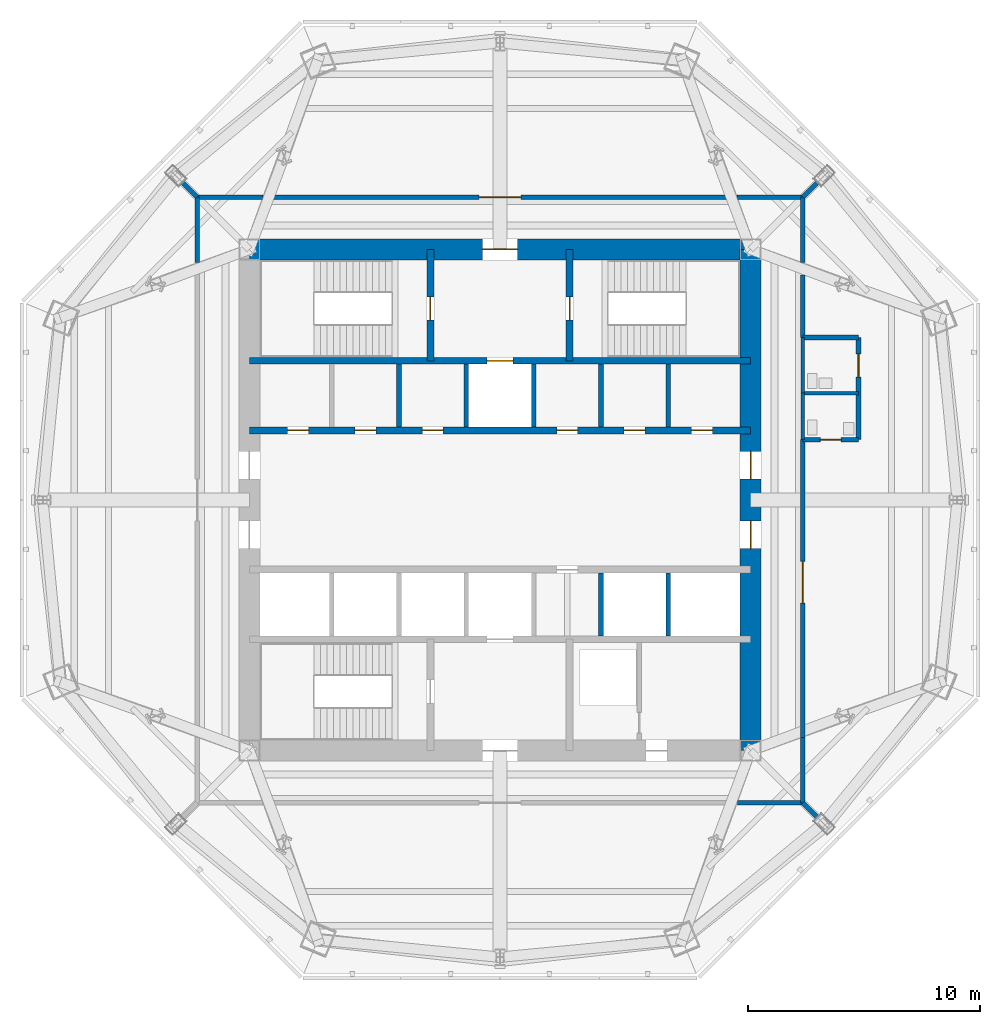
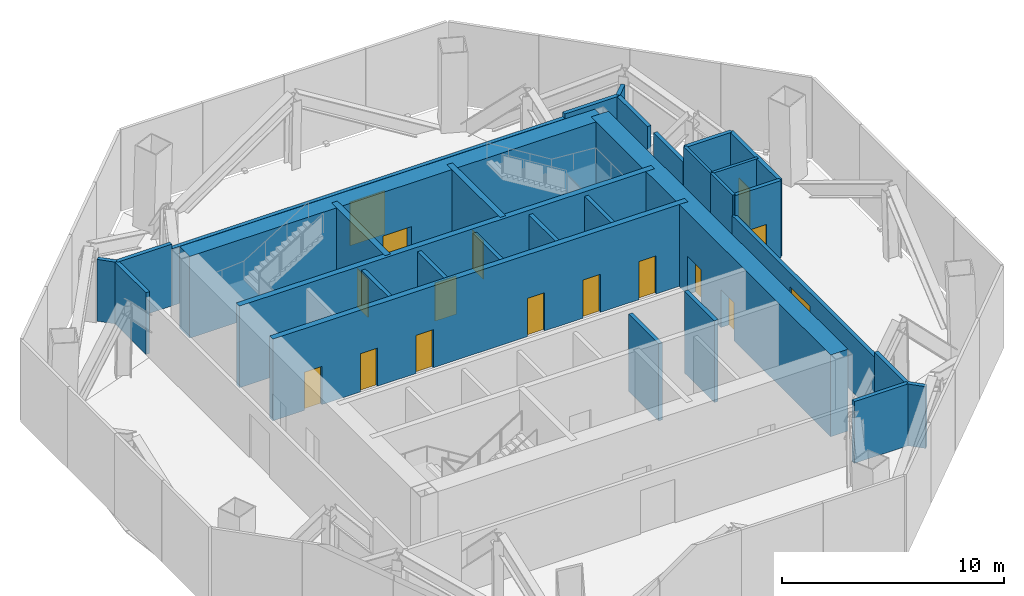
# One storey, part 4 of 8: 31 walls, 16 doors, 16 openings.
"""IFC4 building model written with IfcOpenShell, lengths in metres."""

from ifc_helpers import new_model, si_unit, direction, frame, frame_2d, origin, place, context, subcontext, project, spatial, rectangle, extrude, material, layer, layer_set, type_object, element, fill, save


model = new_model("IFC4")

# Units and contexts
model_context = context("Model", 3, precision=1e-05, world=origin(), true_north=direction((0.0, 1.0)))
body_context = subcontext(model_context, "Body", "Model", "MODEL_VIEW")
ifc_project = project(units=[si_unit("LENGTHUNIT", "METRE"), si_unit("AREAUNIT", "SQUARE_METRE"), si_unit("VOLUMEUNIT", "CUBIC_METRE"), si_unit("PLANEANGLEUNIT", "RADIAN"), si_unit("MASSUNIT", "GRAM", prefix="KILO")], contexts=[model_context])

# Site, building, storey
site_placement = place(None, origin())
site = spatial("IfcSite", under=ifc_project, at=site_placement, CompositionType="ELEMENT")
building_placement = place(site_placement, origin())
building = spatial("IfcBuilding", under=site, at=building_placement, Name="Mashrafa Tower", CompositionType="ELEMENT")
storey_placement = place(building_placement, frame((0.0, 0.0, 261.800048828125)))
storey = spatial("IfcBuildingStorey", under=building, at=storey_placement, Name="L63", CompositionType="ELEMENT", Elevation=261.800048828125)

# Wall
ifc_material_1 = material(Name="Concrete masonry unit", Category="masonry")
ifc_layer_1 = layer(ifc_material_1, 0.199951171875)
ifc_layer_set_1 = layer_set([ifc_layer_1], Name="Blockwork wall 200 2 hr")
wall_type_1 = type_object("IfcWallType", Name="Blockwork wall 200 2 hr", PredefinedType="PARTITIONING", material=ifc_layer_set_1)
wall_1_placement = place(storey_placement, frame((13.050048828125, -13.050048828125, 0.0), z_axis=(0.0, 0.0, 1.0), x_axis=(0.0, 1.0, 0.0)))
element("IfcWall", 1, at=wall_1_placement, inside=storey, type_object=wall_type_1, Name="Blockwork wall L63-003", PredefinedType="PARTITIONING", context=body_context, shape_type="SweptSolid", body=[
    extrude(rectangle(XDim=2.820068359375, YDim=0.199951171875, at=frame_2d((1.41015625, 0.0))), origin(), (0.0, 0.0, 1.0), 3.399169921875),
])

# Wall, opening, door
wall_2_placement = place(storey_placement, frame((13.050048828125, -10.22802734375, 0.0), z_axis=(0.0, 0.0, 1.0), x_axis=(0.0, 1.0, 0.0)))
wall_2 = element("IfcWall", 2, at=wall_2_placement, inside=storey, type_object=wall_type_1, Name="Blockwork wall L63-004", PredefinedType="PARTITIONING", context=body_context, shape_type="SweptSolid", body=[
    extrude(rectangle(XDim=12.8291015625, YDim=0.199951171875, at=frame_2d((6.41455078125, 0.0))), origin(), (0.0, 0.0, 1.0), 3.139892578125),
])
opening_1_placement = place(wall_2_placement, frame((5.78564453125, 0.0, 0.0)))
opening_1 = element("IfcOpeningElement", 3, at=opening_1_placement, cuts=wall_2, Name="Opening 63.003", PredefinedType="OPENING", context=body_context, shape_type="SweptSolid", body=[
    extrude(rectangle(XDim=1.800048828125, YDim=2.39990234375, at=frame_2d((0.89990234375, 1.199951171875))), frame((0.0, 0.10986328125, 0.0), z_axis=(0.0, -1.0, 0.0), x_axis=(1.0, 0.0, 0.0)), (0.0, 0.0, 1.0), 0.219970703125),
])
ifc_material_2 = material(Name="Steel door", Category="steel")
door_type_1 = type_object("IfcDoorType", Name="Door pair 1800 x 2400 90 min", OperationType="DOUBLE_DOOR_SINGLE_SWING", PredefinedType="DOOR", material=ifc_material_2)
door_1_placement = place(opening_1_placement, origin())
door_1 = element("IfcDoor", 4, at=door_1_placement, inside=storey, type_object=door_type_1, Name="Refuge Area L63 East door", OperationType="DOUBLE_DOOR_SINGLE_SWING", OverallHeight=2.39990234375, OverallWidth=1.800048828125, PredefinedType="DOOR", context=body_context, shape_type="SweptSolid", body=[
    extrude(rectangle(XDim=1.800048828125, YDim=2.39990234375, at=frame_2d((0.89990234375, 1.199951171875))), frame((0.0, 0.02490234375, 0.0), z_axis=(0.0, -1.0, 0.0), x_axis=(1.0, 0.0, 0.0)), (0.0, 0.0, 1.0), 0.050048828125),
])
fill(opening_1, door_1)

# Walls
wall_3_placement = place(storey_placement, frame((13.050048828125, 6.9990234375, 0.0), z_axis=(0.0, 0.0, 1.0), x_axis=(0.0, 1.0, 0.0)))
element("IfcWall", 5, at=wall_3_placement, inside=storey, type_object=wall_type_1, Name="Blockwork wall L63-005", PredefinedType="PARTITIONING", context=body_context, shape_type="SweptSolid", body=[
    extrude(rectangle(XDim=2.6865234375, YDim=0.199951171875, at=frame_2d((1.34326171875, 0.0))), origin(), (0.0, 0.0, 1.0), 3.39404296875),
])
for number, where, z_axis, x_axis, name in (
    (6, (13.050048828125, 10.22998046875, 0.0), (0.0, 0.0, 1.0), (0.0, 1.0, 0.0), "Blockwork wall L63-006"),
    (7, (-13.050048828125, 13.050048828125, 0.0), (0.0, 0.0, 1.0), (0.0, -1.0, 0.0), "Blockwork wall L63-007"),
    (8, (13.050048828125, 13.050048828125, 0.0), (0.0, 0.0, 1.0), (-1.0, 0.0, 0.0), "Blockwork wall L63-010"),
):
    element("IfcWall", number, at=place(storey_placement, frame(where, z_axis=z_axis, x_axis=x_axis)), inside=storey, type_object=wall_type_1, Name=name, PredefinedType="PARTITIONING", context=body_context, shape_type="SweptSolid", body=[
        extrude(rectangle(XDim=2.820068359375, YDim=0.199951171875, at=frame_2d((1.41015625, 0.0))), origin(), (0.0, 0.0, 1.0), 3.399169921875),
    ])

# Wall, opening, door
wall_4_placement = place(storey_placement, frame((10.22802734375, 13.050048828125, 0.0), z_axis=(0.0, 0.0, 1.0), x_axis=(-1.0, 0.0, 0.0)))
wall_4 = element("IfcWall", 9, at=wall_4_placement, inside=storey, type_object=wall_type_1, Name="Blockwork wall L63-011", PredefinedType="PARTITIONING", context=body_context, shape_type="SweptSolid", body=[
    extrude(rectangle(XDim=20.4560546875, YDim=0.199951171875, at=frame_2d((10.22802734375, 0.0))), origin(), (0.0, 0.0, 1.0), 3.139892578125),
])
opening_2_placement = place(wall_4_placement, frame((9.327880859375, 0.0, 0.0)))
opening_2 = element("IfcOpeningElement", 10, at=opening_2_placement, cuts=wall_4, Name="Opening 63.005", PredefinedType="OPENING", context=body_context, shape_type="SweptSolid", body=[
    extrude(rectangle(XDim=1.800048828125, YDim=2.39990234375, at=frame_2d((0.89990234375, 1.199951171875))), frame((0.0, 0.10986328125, 0.0), z_axis=(0.0, -1.0, 0.0), x_axis=(1.0, 0.0, 0.0)), (0.0, 0.0, 1.0), 0.219970703125),
])
door_2_placement = place(opening_2_placement, frame((1.800048828125, 0.0, 0.0), z_axis=(0.0, 0.0, 1.0), x_axis=(-1.0, 0.0, 0.0)))
door_2 = element("IfcDoor", 11, at=door_2_placement, inside=storey, type_object=door_type_1, Name="Mechanical Plant Room L63 door", OperationType="DOUBLE_DOOR_SINGLE_SWING", OverallHeight=2.39990234375, OverallWidth=1.800048828125, PredefinedType="DOOR", context=body_context, shape_type="SweptSolid", body=[
    extrude(rectangle(XDim=1.800048828125, YDim=2.39990234375, at=frame_2d((0.89990234375, 1.199951171875))), frame((0.0, 0.02490234375, 0.0), z_axis=(0.0, -1.0, 0.0), x_axis=(1.0, 0.0, 0.0)), (0.0, 0.0, 1.0), 0.050048828125),
])
fill(opening_2, door_2)

# Walls
for number, where, z_axis, x_axis, name in (
    (12, (-10.22998046875, 13.050048828125, 0.0), (0.0, 0.0, 1.0), (-1.0, 0.0, 0.0), "Blockwork wall L63-012"),
    (13, (10.22998046875, -13.050048828125, 0.0), (0.0, 0.0, 1.0), (1.0, 0.0, 0.0), "Blockwork wall L63-015"),
):
    element("IfcWall", number, at=place(storey_placement, frame(where, z_axis=z_axis, x_axis=x_axis)), inside=storey, type_object=wall_type_1, Name=name, PredefinedType="PARTITIONING", context=body_context, shape_type="SweptSolid", body=[
        extrude(rectangle(XDim=2.820068359375, YDim=0.199951171875, at=frame_2d((1.41015625, 0.0))), origin(), (0.0, 0.0, 1.0), 3.399169921875),
    ])

# Wall, opening, door
wall_5_placement = place(storey_placement, frame((13.050048828125, 2.60009765625, 0.0), z_axis=(0.0, 0.0, 1.0), x_axis=(1.0, 0.0, 0.0)))
wall_5 = element("IfcWall", 14, at=wall_5_placement, inside=storey, type_object=wall_type_1, Name="Blockwork wall L63-017", PredefinedType="PARTITIONING", context=body_context, shape_type="SweptSolid", body=[
    extrude(rectangle(XDim=2.39990234375, YDim=0.199951171875, at=frame_2d((1.199951171875, 0.0))), origin(), (0.0, 0.0, 1.0), 4.25),
])
opening_3_placement = place(wall_5_placement, frame((0.75, 0.0, 0.0)))
opening_3 = element("IfcOpeningElement", 15, at=opening_3_placement, cuts=wall_5, Name="Opening 63.001", PredefinedType="OPENING", context=body_context, shape_type="SweptSolid", body=[
    extrude(rectangle(XDim=0.89990234375, YDim=2.10009765625, at=frame_2d((0.449951171875, 1.050048828125))), frame((0.0, 0.10986328125, 0.0), z_axis=(0.0, -1.0, 0.0), x_axis=(1.0, 0.0, 0.0)), (0.0, 0.0, 1.0), 0.219970703125),
])
ifc_material_3 = material(Name="Timber door", Category="wood")
door_type_2 = type_object("IfcDoorType", Name="Toilet door 900 x 2100", OperationType="USERDEFINED", PredefinedType="DOOR", material=ifc_material_3)
door_3_placement = place(opening_3_placement, origin())
door_3 = element("IfcDoor", 16, at=door_3_placement, inside=storey, type_object=door_type_2, Name="Refuge WC L63 door", OperationType="SINGLE_SWING_RIGHT", OverallHeight=2.10009765625, OverallWidth=0.89990234375, PredefinedType="DOOR", context=body_context, shape_type="SweptSolid", body=[
    extrude(rectangle(XDim=0.89990234375, YDim=2.10009765625, at=frame_2d((0.449951171875, 1.050048828125))), frame((0.0, 0.02490234375, 0.0), z_axis=(0.0, -1.0, 0.0), x_axis=(1.0, 0.0, 0.0)), (0.0, 0.0, 1.0), 0.050048828125),
])
fill(opening_3, door_3)

wall_6_placement = place(storey_placement, frame((15.449951171875, 2.60009765625, 0.0), z_axis=(0.0, 0.0, 1.0), x_axis=(0.0, 1.0, 0.0)))
wall_6 = element("IfcWall", 17, at=wall_6_placement, inside=storey, type_object=wall_type_1, Name="Blockwork wall L63-018", PredefinedType="PARTITIONING", context=body_context, shape_type="SweptSolid", body=[
    extrude(rectangle(XDim=4.39990234375, YDim=0.199951171875, at=frame_2d((2.199951171875, 0.0))), origin(), (0.0, 0.0, 1.0), 4.25),
])
opening_4_placement = place(wall_6_placement, frame((2.699951171875, 0.0, 0.0)))
opening_4 = element("IfcOpeningElement", 18, at=opening_4_placement, cuts=wall_6, Name="Opening 63.002", PredefinedType="OPENING", context=body_context, shape_type="SweptSolid", body=[
    extrude(rectangle(XDim=1.0, YDim=2.10009765625, at=frame_2d((0.5, 1.050048828125))), frame((0.0, 0.10986328125, 0.0), z_axis=(0.0, -1.0, 0.0), x_axis=(1.0, 0.0, 0.0)), (0.0, 0.0, 1.0), 0.219970703125),
])
ifc_material_4 = material(Name="Timber door", Category="wood")
door_type_3 = type_object("IfcDoorType", Name="Accessible toilet door 1000 x 2100", OperationType="USERDEFINED", PredefinedType="DOOR", material=ifc_material_4)
door_4_placement = place(opening_4_placement, origin())
door_4 = element("IfcDoor", 19, at=door_4_placement, inside=storey, type_object=door_type_3, Name="Refuge Accessible WC L63 door", OperationType="SINGLE_SWING_LEFT", OverallHeight=2.10009765625, OverallWidth=1.0, PredefinedType="DOOR", context=body_context, shape_type="SweptSolid", body=[
    extrude(rectangle(XDim=1.0, YDim=2.10009765625, at=frame_2d((0.5, 1.050048828125))), frame((0.0, 0.02490234375, 0.0), z_axis=(0.0, -1.0, 0.0), x_axis=(1.0, 0.0, 0.0)), (0.0, 0.0, 1.0), 0.050048828125),
])
fill(opening_4, door_4)

# Walls
wall_7_placement = place(storey_placement, frame((15.449951171875, 7.0, 0.0), z_axis=(0.0, 0.0, 1.0), x_axis=(-1.0, 0.0, 0.0)))
element("IfcWall", 20, at=wall_7_placement, inside=storey, type_object=wall_type_1, Name="Blockwork wall L63-020", PredefinedType="PARTITIONING", context=body_context, shape_type="SweptSolid", body=[
    extrude(rectangle(XDim=2.39990234375, YDim=0.199951171875, at=frame_2d((1.199951171875, 0.0))), origin(), (0.0, 0.0, 1.0), 4.25),
])
for number, where, z_axis, x_axis, name in (
    (21, (13.669921875, 13.669921875, 0.0), (0.0, 0.0, 1.0), (-0.707106781187, -0.707106781187, 0.0), "Blockwork wall L63-021"),
    (22, (13.050048828125, -13.050048828125, 0.0), (0.0, 0.0, 1.0), (0.707106781187, -0.707106781187, 0.0), "Blockwork wall L63-022"),
    (23, (-13.050048828125, 13.050048828125, 0.0), (0.0, 0.0, 1.0), (-0.707106781187, 0.707106781187, 0.0), "Blockwork wall L63-023"),
):
    element("IfcWall", number, at=place(storey_placement, frame(where, z_axis=z_axis, x_axis=x_axis)), inside=storey, type_object=wall_type_1, Name=name, PredefinedType="PARTITIONING", context=body_context, shape_type="SweptSolid", body=[
        extrude(rectangle(XDim=0.876708984375, YDim=0.199951171875, at=frame_2d((0.4384765625, 0.0))), origin(), (0.0, 0.0, 1.0), 3.399169921875),
    ])

# Wall, openings, doors
ifc_material_5 = material(Name="Concrete C50/60", Category="concrete")
ifc_layer_2 = layer(ifc_material_5, 0.300048828125)
ifc_layer_set_2 = layer_set([ifc_layer_2], Name="Core wall 300 C50/60")
wall_type_2 = type_object("IfcWallType", Name="Core wall 300 C50/60", PredefinedType="SOLIDWALL", material=ifc_layer_set_2)
wall_8_placement = place(storey_placement, frame((-10.800048828125, 3.0, 0.0), z_axis=(0.0, 0.0, 1.0), x_axis=(1.0, 0.0, 0.0)))
wall_8 = element("IfcWall", 24, at=wall_8_placement, inside=storey, type_object=wall_type_2, Name="Core wall CH-N L63", PredefinedType="SOLIDWALL", context=body_context, shape_type="SweptSolid", body=[
    extrude(rectangle(XDim=21.60009765625, YDim=0.300048828125, at=frame_2d((10.800048828125, 0.0))), origin(), (0.0, 0.0, 1.0), 4.5),
])
opening_5_placement = place(wall_8_placement, frame((1.64990234375, 0.0, 0.0)))
opening_5 = element("IfcOpeningElement", 25, at=opening_5_placement, cuts=wall_8, Name="Opening 63.018", PredefinedType="OPENING", context=body_context, shape_type="SweptSolid", body=[
    extrude(rectangle(XDim=0.89990234375, YDim=2.10009765625, at=frame_2d((0.449951171875, 1.050048828125))), frame((0.0, 0.159912109375, 0.0), z_axis=(0.0, -1.0, 0.0), x_axis=(1.0, 0.0, 0.0)), (0.0, 0.0, 1.0), 0.320068359375),
])
opening_6_placement = place(wall_8_placement, frame((4.550048828125, 0.0, 0.0)))
opening_6 = element("IfcOpeningElement", 26, at=opening_6_placement, cuts=wall_8, Name="Opening 63.019", PredefinedType="OPENING", context=body_context, shape_type="SweptSolid", body=[
    extrude(rectangle(XDim=0.89990234375, YDim=2.10009765625, at=frame_2d((0.449951171875, 1.050048828125))), frame((0.0, 0.159912109375, 0.0), z_axis=(0.0, -1.0, 0.0), x_axis=(1.0, 0.0, 0.0)), (0.0, 0.0, 1.0), 0.320068359375),
])
opening_7_placement = place(wall_8_placement, frame((7.449951171875, 0.0, 0.0)))
opening_7 = element("IfcOpeningElement", 27, at=opening_7_placement, cuts=wall_8, Name="Opening 63.020", PredefinedType="OPENING", context=body_context, shape_type="SweptSolid", body=[
    extrude(rectangle(XDim=0.89990234375, YDim=2.10009765625, at=frame_2d((0.449951171875, 1.050048828125))), frame((0.0, 0.159912109375, 0.0), z_axis=(0.0, -1.0, 0.0), x_axis=(1.0, 0.0, 0.0)), (0.0, 0.0, 1.0), 0.320068359375),
])
opening_8_placement = place(wall_8_placement, frame((13.25, 0.0, 0.0)))
opening_8 = element("IfcOpeningElement", 28, at=opening_8_placement, cuts=wall_8, Name="Opening 63.021", PredefinedType="OPENING", context=body_context, shape_type="SweptSolid", body=[
    extrude(rectangle(XDim=0.89990234375, YDim=2.10009765625, at=frame_2d((0.449951171875, 1.050048828125))), frame((0.0, 0.159912109375, 0.0), z_axis=(0.0, -1.0, 0.0), x_axis=(1.0, 0.0, 0.0)), (0.0, 0.0, 1.0), 0.320068359375),
])
opening_9_placement = place(wall_8_placement, frame((16.14990234375, 0.0, 0.0)))
opening_9 = element("IfcOpeningElement", 29, at=opening_9_placement, cuts=wall_8, Name="Opening 63.022", PredefinedType="OPENING", context=body_context, shape_type="SweptSolid", body=[
    extrude(rectangle(XDim=0.89990234375, YDim=2.10009765625, at=frame_2d((0.449951171875, 1.050048828125))), frame((0.0, 0.159912109375, 0.0), z_axis=(0.0, -1.0, 0.0), x_axis=(1.0, 0.0, 0.0)), (0.0, 0.0, 1.0), 0.320068359375),
])
opening_10_placement = place(wall_8_placement, frame((19.050048828125, 0.0, 0.0)))
opening_10 = element("IfcOpeningElement", 30, at=opening_10_placement, cuts=wall_8, Name="Opening 63.023", PredefinedType="OPENING", context=body_context, shape_type="SweptSolid", body=[
    extrude(rectangle(XDim=0.89990234375, YDim=2.10009765625, at=frame_2d((0.449951171875, 1.050048828125))), frame((0.0, 0.159912109375, 0.0), z_axis=(0.0, -1.0, 0.0), x_axis=(1.0, 0.0, 0.0)), (0.0, 0.0, 1.0), 0.320068359375),
])
ifc_material_6 = material(Name="Timber door", Category="wood")
door_type_4 = type_object("IfcDoorType", Name="Store door 900 x 2100", OperationType="USERDEFINED", PredefinedType="DOOR", material=ifc_material_6)
door_5_placement = place(opening_5_placement, origin())
door_5 = element("IfcDoor", 31, at=door_5_placement, inside=storey, type_object=door_type_4, Name="Plant Store L63-A1 door", OperationType="SINGLE_SWING_RIGHT", OverallHeight=2.10009765625, OverallWidth=0.89990234375, PredefinedType="DOOR", context=body_context, shape_type="SweptSolid", body=[
    extrude(rectangle(XDim=0.89990234375, YDim=2.10009765625, at=frame_2d((0.449951171875, 1.050048828125))), frame((0.0, 0.02490234375, 0.0), z_axis=(0.0, -1.0, 0.0), x_axis=(1.0, 0.0, 0.0)), (0.0, 0.0, 1.0), 0.050048828125),
])
fill(opening_5, door_5)
door_6_placement = place(opening_6_placement, origin())
door_6 = element("IfcDoor", 32, at=door_6_placement, inside=storey, type_object=door_type_4, Name="Plant Store L63-A2 door", OperationType="SINGLE_SWING_LEFT", OverallHeight=2.10009765625, OverallWidth=0.89990234375, PredefinedType="DOOR", context=body_context, shape_type="SweptSolid", body=[
    extrude(rectangle(XDim=0.89990234375, YDim=2.10009765625, at=frame_2d((0.449951171875, 1.050048828125))), frame((0.0, 0.02490234375, 0.0), z_axis=(0.0, -1.0, 0.0), x_axis=(1.0, 0.0, 0.0)), (0.0, 0.0, 1.0), 0.050048828125),
])
fill(opening_6, door_6)
door_7_placement = place(opening_7_placement, origin())
door_7 = element("IfcDoor", 33, at=door_7_placement, inside=storey, type_object=door_type_4, Name="Plant Store L63-A3 door", OperationType="SINGLE_SWING_LEFT", OverallHeight=2.10009765625, OverallWidth=0.89990234375, PredefinedType="DOOR", context=body_context, shape_type="SweptSolid", body=[
    extrude(rectangle(XDim=0.89990234375, YDim=2.10009765625, at=frame_2d((0.449951171875, 1.050048828125))), frame((0.0, 0.02490234375, 0.0), z_axis=(0.0, -1.0, 0.0), x_axis=(1.0, 0.0, 0.0)), (0.0, 0.0, 1.0), 0.050048828125),
])
fill(opening_7, door_7)
door_8_placement = place(opening_8_placement, origin())
door_8 = element("IfcDoor", 34, at=door_8_placement, inside=storey, type_object=door_type_4, Name="Plant Store L63-A4 door", OperationType="SINGLE_SWING_LEFT", OverallHeight=2.10009765625, OverallWidth=0.89990234375, PredefinedType="DOOR", context=body_context, shape_type="SweptSolid", body=[
    extrude(rectangle(XDim=0.89990234375, YDim=2.10009765625, at=frame_2d((0.449951171875, 1.050048828125))), frame((0.0, 0.02490234375, 0.0), z_axis=(0.0, -1.0, 0.0), x_axis=(1.0, 0.0, 0.0)), (0.0, 0.0, 1.0), 0.050048828125),
])
fill(opening_8, door_8)
door_9_placement = place(opening_9_placement, origin())
door_9 = element("IfcDoor", 35, at=door_9_placement, inside=storey, type_object=door_type_4, Name="Plant Store L63-K1 door", OperationType="SINGLE_SWING_LEFT", OverallHeight=2.10009765625, OverallWidth=0.89990234375, PredefinedType="DOOR", context=body_context, shape_type="SweptSolid", body=[
    extrude(rectangle(XDim=0.89990234375, YDim=2.10009765625, at=frame_2d((0.449951171875, 1.050048828125))), frame((0.0, 0.02490234375, 0.0), z_axis=(0.0, -1.0, 0.0), x_axis=(1.0, 0.0, 0.0)), (0.0, 0.0, 1.0), 0.050048828125),
])
fill(opening_9, door_9)
door_10_placement = place(opening_10_placement, origin())
door_10 = element("IfcDoor", 36, at=door_10_placement, inside=storey, type_object=door_type_4, Name="Plant Store L63-K2 door", OperationType="SINGLE_SWING_LEFT", OverallHeight=2.10009765625, OverallWidth=0.89990234375, PredefinedType="DOOR", context=body_context, shape_type="SweptSolid", body=[
    extrude(rectangle(XDim=0.89990234375, YDim=2.10009765625, at=frame_2d((0.449951171875, 1.050048828125))), frame((0.0, 0.02490234375, 0.0), z_axis=(0.0, -1.0, 0.0), x_axis=(1.0, 0.0, 0.0)), (0.0, 0.0, 1.0), 0.050048828125),
])
fill(opening_10, door_10)

# Wall, opening, door
wall_9_placement = place(storey_placement, frame((-10.800048828125, 6.0, 0.0), z_axis=(0.0, 0.0, 1.0), x_axis=(1.0, 0.0, 0.0)))
wall_9 = element("IfcWall", 37, at=wall_9_placement, inside=storey, type_object=wall_type_2, Name="Core wall CB-N L63", PredefinedType="SOLIDWALL", context=body_context, shape_type="SweptSolid", body=[
    extrude(rectangle(XDim=21.60009765625, YDim=0.300048828125, at=frame_2d((10.800048828125, 0.0))), origin(), (0.0, 0.0, 1.0), 4.5),
])
opening_11_placement = place(wall_9_placement, frame((10.25, 0.0, 0.0)))
opening_11 = element("IfcOpeningElement", 38, at=opening_11_placement, cuts=wall_9, Name="Opening 63.F1", PredefinedType="OPENING", context=body_context, shape_type="SweptSolid", body=[
    extrude(rectangle(XDim=1.10009765625, YDim=2.10009765625, at=frame_2d((0.550048828125, 1.050048828125))), frame((0.0, 0.159912109375, 0.0), z_axis=(0.0, -1.0, 0.0), x_axis=(1.0, 0.0, 0.0)), (0.0, 0.0, 1.0), 0.320068359375),
])
ifc_material_7 = material(Name="Steel door", Category="steel")
door_type_5 = type_object("IfcDoorType", Name="Lift landing door 1100 x 2100 90 min", OperationType="DOUBLE_DOOR_SLIDING", PredefinedType="DOOR", material=ifc_material_7)
door_11_placement = place(opening_11_placement, origin())
door_11 = element("IfcDoor", 39, at=door_11_placement, inside=storey, type_object=door_type_5, Name="Lift landing door F1 L63", OperationType="DOUBLE_DOOR_SLIDING", OverallHeight=2.10009765625, OverallWidth=1.10009765625, PredefinedType="DOOR", context=body_context, shape_type="SweptSolid", body=[
    extrude(rectangle(XDim=1.10009765625, YDim=2.10009765625, at=frame_2d((0.550048828125, 1.050048828125))), frame((0.0, 0.02490234375, 0.0), z_axis=(0.0, -1.0, 0.0), x_axis=(1.0, 0.0, 0.0)), (0.0, 0.0, 1.0), 0.050048828125),
])
fill(opening_11, door_11)

wall_10_placement = place(storey_placement, frame((-3.0, 6.0, 0.0), z_axis=(0.0, 0.0, 1.0), x_axis=(0.0, 1.0, 0.0)))
wall_10 = element("IfcWall", 40, at=wall_10_placement, inside=storey, type_object=wall_type_2, Name="Core wall CX-NW L63", PredefinedType="SOLIDWALL", context=body_context, shape_type="SweptSolid", body=[
    extrude(rectangle(XDim=4.800048828125, YDim=0.300048828125, at=frame_2d((2.39990234375, 0.0))), origin(), (0.0, 0.0, 1.0), 4.5),
])
opening_12_placement = place(wall_10_placement, frame((1.75, 0.0, 0.0)))
opening_12 = element("IfcOpeningElement", 41, at=opening_12_placement, cuts=wall_10, Name="Opening 63.013", PredefinedType="OPENING", context=body_context, shape_type="SweptSolid", body=[
    extrude(rectangle(XDim=1.0, YDim=2.10009765625, at=frame_2d((0.5, 1.050048828125))), frame((0.0, 0.159912109375, 0.0), z_axis=(0.0, -1.0, 0.0), x_axis=(1.0, 0.0, 0.0)), (0.0, 0.0, 1.0), 0.320068359375),
])
ifc_material_8 = material(Name="Steel door", Category="steel")
door_type_6 = type_object("IfcDoorType", Name="Stair door 1000 x 2100 90 min", OperationType="USERDEFINED", PredefinedType="DOOR", material=ifc_material_8)
door_12_placement = place(opening_12_placement, origin())
door_12 = element("IfcDoor", 42, at=door_12_placement, inside=storey, type_object=door_type_6, Name="Stair S1 door L63", OperationType="SINGLE_SWING_LEFT", OverallHeight=2.10009765625, OverallWidth=1.0, PredefinedType="DOOR", context=body_context, shape_type="SweptSolid", body=[
    extrude(rectangle(XDim=1.0, YDim=2.10009765625, at=frame_2d((0.5, 1.050048828125))), frame((0.0, 0.02490234375, 0.0), z_axis=(0.0, -1.0, 0.0), x_axis=(1.0, 0.0, 0.0)), (0.0, 0.0, 1.0), 0.050048828125),
])
fill(opening_12, door_12)

wall_11_placement = place(storey_placement, frame((3.0, 6.0, 0.0), z_axis=(0.0, 0.0, 1.0), x_axis=(0.0, 1.0, 0.0)))
wall_11 = element("IfcWall", 43, at=wall_11_placement, inside=storey, type_object=wall_type_2, Name="Core wall CX-NE L63", PredefinedType="SOLIDWALL", context=body_context, shape_type="SweptSolid", body=[
    extrude(rectangle(XDim=4.800048828125, YDim=0.300048828125, at=frame_2d((2.39990234375, 0.0))), origin(), (0.0, 0.0, 1.0), 4.5),
])
opening_13_placement = place(wall_11_placement, frame((1.75, 0.0, 0.0)))
opening_13 = element("IfcOpeningElement", 44, at=opening_13_placement, cuts=wall_11, Name="Opening 63.014", PredefinedType="OPENING", context=body_context, shape_type="SweptSolid", body=[
    extrude(rectangle(XDim=1.0, YDim=2.10009765625, at=frame_2d((0.5, 1.050048828125))), frame((0.0, 0.159912109375, 0.0), z_axis=(0.0, -1.0, 0.0), x_axis=(1.0, 0.0, 0.0)), (0.0, 0.0, 1.0), 0.320068359375),
])
door_13_placement = place(opening_13_placement, frame((1.0, 0.0, 0.0), z_axis=(0.0, 0.0, 1.0), x_axis=(-1.0, 0.0, 0.0)))
door_13 = element("IfcDoor", 45, at=door_13_placement, inside=storey, type_object=door_type_6, Name="Stair S2 door L63", OperationType="SINGLE_SWING_RIGHT", OverallHeight=2.10009765625, OverallWidth=1.0, PredefinedType="DOOR", context=body_context, shape_type="SweptSolid", body=[
    extrude(rectangle(XDim=1.0, YDim=2.10009765625, at=frame_2d((0.5, 1.050048828125))), frame((0.0, 0.02490234375, 0.0), z_axis=(0.0, -1.0, 0.0), x_axis=(1.0, 0.0, 0.0)), (0.0, 0.0, 1.0), 0.050048828125),
])
fill(opening_13, door_13)

# Wall, openings, doors
ifc_material_9 = material(Name="Concrete C50/60", Category="concrete")
ifc_layer_3 = layer(ifc_material_9, 0.89990234375)
ifc_layer_set_3 = layer_set([ifc_layer_3], Name="Core wall 900 C50/60")
wall_type_3 = type_object("IfcWallType", Name="Core wall 900 C50/60", PredefinedType="SOLIDWALL", material=ifc_layer_set_3)
wall_12_placement = place(storey_placement, frame((10.800048828125, -10.800048828125, 0.0), z_axis=(0.0, 0.0, 1.0), x_axis=(0.0, 1.0, 0.0)))
wall_12 = element("IfcWall", 46, at=wall_12_placement, inside=storey, type_object=wall_type_3, Name="Core wall CW-E L63", PredefinedType="SOLIDWALL", context=body_context, shape_type="SweptSolid", body=[
    extrude(rectangle(XDim=21.60009765625, YDim=0.89990234375, at=frame_2d((10.800048828125, 0.0))), origin(), (0.0, 0.0, 1.0), 4.5),
])
opening_14_placement = place(wall_12_placement, frame((11.699951171875, 0.0, 0.0)))
opening_14 = element("IfcOpeningElement", 47, at=opening_14_placement, cuts=wall_12, Name="Opening 63.007", PredefinedType="OPENING", context=body_context, shape_type="SweptSolid", body=[
    extrude(rectangle(XDim=1.199951171875, YDim=2.10009765625, at=frame_2d((0.60009765625, 1.050048828125))), frame((0.0, 0.4599609375, 0.0), z_axis=(0.0, -1.0, 0.0), x_axis=(1.0, 0.0, 0.0)), (0.0, 0.0, 1.0), 0.919921875),
])
opening_15_placement = place(wall_12_placement, frame((8.699951171875, 0.0, 0.0)))
opening_15 = element("IfcOpeningElement", 48, at=opening_15_placement, cuts=wall_12, Name="Opening 63.009", PredefinedType="OPENING", context=body_context, shape_type="SweptSolid", body=[
    extrude(rectangle(XDim=1.199951171875, YDim=2.10009765625, at=frame_2d((0.60009765625, 1.050048828125))), frame((0.0, 0.4599609375, 0.0), z_axis=(0.0, -1.0, 0.0), x_axis=(1.0, 0.0, 0.0)), (0.0, 0.0, 1.0), 0.919921875),
])
ifc_material_10 = material(Name="Steel door", Category="steel")
door_type_7 = type_object("IfcDoorType", Name="Lift hall door 1200 x 2100 90 min", OperationType="USERDEFINED", PredefinedType="DOOR", material=ifc_material_10)
door_14_placement = place(opening_14_placement, frame((1.199951171875, 0.0, 0.0), z_axis=(0.0, 0.0, 1.0), x_axis=(-1.0, 0.0, 0.0)))
door_14 = element("IfcDoor", 49, at=door_14_placement, inside=storey, type_object=door_type_7, Name="Lift hall door east L63", OperationType="SINGLE_SWING_LEFT", OverallHeight=2.10009765625, OverallWidth=1.199951171875, PredefinedType="DOOR", context=body_context, shape_type="SweptSolid", body=[
    extrude(rectangle(XDim=1.199951171875, YDim=2.10009765625, at=frame_2d((0.60009765625, 1.050048828125))), frame((0.0, 0.02490234375, 0.0), z_axis=(0.0, -1.0, 0.0), x_axis=(1.0, 0.0, 0.0)), (0.0, 0.0, 1.0), 0.050048828125),
])
fill(opening_14, door_14)
door_15_placement = place(opening_15_placement, frame((1.199951171875, 0.0, 0.0), z_axis=(0.0, 0.0, 1.0), x_axis=(-1.0, 0.0, 0.0)))
door_15 = element("IfcDoor", 50, at=door_15_placement, inside=storey, type_object=door_type_7, Name="Lift hall door east L63", OperationType="SINGLE_SWING_RIGHT", OverallHeight=2.10009765625, OverallWidth=1.199951171875, PredefinedType="DOOR", context=body_context, shape_type="SweptSolid", body=[
    extrude(rectangle(XDim=1.199951171875, YDim=2.10009765625, at=frame_2d((0.60009765625, 1.050048828125))), frame((0.0, 0.02490234375, 0.0), z_axis=(0.0, -1.0, 0.0), x_axis=(1.0, 0.0, 0.0)), (0.0, 0.0, 1.0), 0.050048828125),
])
fill(opening_15, door_15)

# Wall, opening, door
wall_13_placement = place(storey_placement, frame((10.800048828125, 10.800048828125, 0.0), z_axis=(0.0, 0.0, 1.0), x_axis=(-1.0, 0.0, 0.0)))
wall_13 = element("IfcWall", 51, at=wall_13_placement, inside=storey, type_object=wall_type_3, Name="Core wall CW-N L63", PredefinedType="SOLIDWALL", context=body_context, shape_type="SweptSolid", body=[
    extrude(rectangle(XDim=21.60009765625, YDim=0.89990234375, at=frame_2d((10.800048828125, 0.0))), origin(), (0.0, 0.0, 1.0), 4.5),
])
opening_16_placement = place(wall_13_placement, frame((10.050048828125, 0.0, 0.0)))
opening_16 = element("IfcOpeningElement", 52, at=opening_16_placement, cuts=wall_13, Name="Opening 63.011", PredefinedType="OPENING", context=body_context, shape_type="SweptSolid", body=[
    extrude(rectangle(XDim=1.5, YDim=2.10009765625, at=frame_2d((0.75, 1.050048828125))), frame((0.0, 0.4599609375, 0.0), z_axis=(0.0, -1.0, 0.0), x_axis=(1.0, 0.0, 0.0)), (0.0, 0.0, 1.0), 0.919921875),
])
ifc_material_11 = material(Name="Steel door", Category="steel")
door_type_8 = type_object("IfcDoorType", Name="Lobby door pair 1500 x 2100 90 min", OperationType="DOUBLE_DOOR_SINGLE_SWING", PredefinedType="DOOR", material=ifc_material_11)
door_16_placement = place(opening_16_placement, origin())
door_16 = element("IfcDoor", 53, at=door_16_placement, inside=storey, type_object=door_type_8, Name="Fire-fighting lobby F1 door L63", OperationType="DOUBLE_DOOR_SINGLE_SWING", OverallHeight=2.10009765625, OverallWidth=1.5, PredefinedType="DOOR", context=body_context, shape_type="SweptSolid", body=[
    extrude(rectangle(XDim=1.5, YDim=2.10009765625, at=frame_2d((0.75, 1.050048828125))), frame((0.0, 0.02490234375, 0.0), z_axis=(0.0, -1.0, 0.0), x_axis=(1.0, 0.0, 0.0)), (0.0, 0.0, 1.0), 0.050048828125),
])
fill(opening_16, door_16)

# Walls
ifc_material_12 = material(Name="Gypsum board on steel studs", Category="steel")
ifc_layer_4 = layer(ifc_material_12, 0.14990234375)
ifc_layer_set_4 = layer_set([ifc_layer_4], Name="Corridor partition 150 1 hr")
wall_type_4 = type_object("IfcWallType", Name="Corridor partition 150 1 hr", PredefinedType="PARTITIONING", material=ifc_layer_set_4)
wall_14_placement = place(storey_placement, frame((13.050048828125, 2.59912109375, 0.0), z_axis=(0.0, 0.0, 1.0), x_axis=(0.0, 1.0, 0.0)))
element("IfcWall", 54, at=wall_14_placement, inside=storey, type_object=wall_type_4, Name="Corridor wall L63-001", PredefinedType="PARTITIONING", context=body_context, shape_type="SweptSolid", body=[
    extrude(rectangle(XDim=2.001953125, YDim=0.14990234375, at=frame_2d((1.0009765625, 0.0))), origin(), (0.0, 0.0, 1.0), 4.25),
])
wall_15_placement = place(storey_placement, frame((13.050048828125, 4.59912109375, 0.0), z_axis=(0.0, 0.0, 1.0), x_axis=(0.0, 1.0, 0.0)))
element("IfcWall", 55, at=wall_15_placement, inside=storey, type_object=wall_type_4, Name="Corridor wall L63-002", PredefinedType="PARTITIONING", context=body_context, shape_type="SweptSolid", body=[
    extrude(rectangle(XDim=2.40185546875, YDim=0.14990234375, at=frame_2d((1.200927734375, 0.0))), origin(), (0.0, 0.0, 1.0), 4.25),
])
ifc_material_13 = material(Name="Gypsum board on steel studs", Category="steel")
ifc_layer_5 = layer(ifc_material_13, 0.14990234375)
ifc_layer_set_5 = layer_set([ifc_layer_5], Name="Partition 150")
wall_type_5 = type_object("IfcWallType", Name="Partition 150", PredefinedType="PARTITIONING", material=ifc_layer_set_5)
wall_16_placement = place(storey_placement, frame((15.449951171875, 4.60009765625, 0.0), z_axis=(0.0, 0.0, 1.0), x_axis=(-1.0, 0.0, 0.0)))
element("IfcWall", 56, at=wall_16_placement, inside=storey, type_object=wall_type_5, Name="Partition wall L63-016", PredefinedType="PARTITIONING", context=body_context, shape_type="SweptSolid", body=[
    extrude(rectangle(XDim=2.39990234375, YDim=0.14990234375, at=frame_2d((1.199951171875, 0.0))), origin(), (0.0, 0.0, 1.0), 4.25),
])
ifc_material_14 = material(Name="Gypsum shaft wall on steel studs", Category="steel")
ifc_layer_6 = layer(ifc_material_14, 0.199951171875)
ifc_layer_set_6 = layer_set([ifc_layer_6], Name="Shaft divider wall 200 2 hr")
wall_type_6 = type_object("IfcWallType", Name="Shaft divider wall 200 2 hr", PredefinedType="PARTITIONING", material=ifc_layer_set_6)
for number, where, z_axis, x_axis, name in (
    (57, (-4.35009765625, 3.14990234375, 0.0), (0.0, 0.0, 1.0), (0.0, 1.0, 0.0), "Shaft divider wall N2 L63"),
    (58, (-1.449951171875, 3.14990234375, 0.0), (0.0, 0.0, 1.0), (0.0, 1.0, 0.0), "Shaft divider wall N3 L63"),
    (59, (1.449951171875, 3.14990234375, 0.0), (0.0, 0.0, 1.0), (0.0, 1.0, 0.0), "Shaft divider wall N4 L63"),
    (60, (4.35009765625, 3.14990234375, 0.0), (0.0, 0.0, 1.0), (0.0, 1.0, 0.0), "Shaft divider wall N5 L63"),
    (61, (7.25, 3.14990234375, 0.0), (0.0, 0.0, 1.0), (0.0, 1.0, 0.0), "Shaft divider wall N6 L63"),
    (62, (4.35009765625, -5.85009765625, 0.0), (0.0, 0.0, 1.0), (0.0, 1.0, 0.0), "Shaft divider wall S5 L63"),
):
    element("IfcWall", number, at=place(storey_placement, frame(where, z_axis=z_axis, x_axis=x_axis)), inside=storey, type_object=wall_type_6, Name=name, PredefinedType="PARTITIONING", context=body_context, shape_type="SweptSolid", body=[
        extrude(rectangle(XDim=2.7001953125, YDim=0.199951171875, at=frame_2d((1.35009765625, 0.0))), origin(), (0.0, 0.0, 1.0), 4.25),
    ])
wall_17_placement = place(storey_placement, frame((7.25, -5.85009765625, 0.0), z_axis=(0.0, 0.0, 1.0), x_axis=(0.0, 1.0, 0.0)))
element("IfcWall", 63, at=wall_17_placement, inside=storey, type_object=wall_type_6, Name="Shaft divider wall S6 L63", PredefinedType="PARTITIONING", context=body_context, shape_type="SweptSolid", body=[
    extrude(rectangle(XDim=2.7001953125, YDim=0.199951171875, at=frame_2d((1.35009765625, 0.0))), origin(), (0.0, 0.0, 1.0), 4.5),
])

save(model, "model.ifc")
